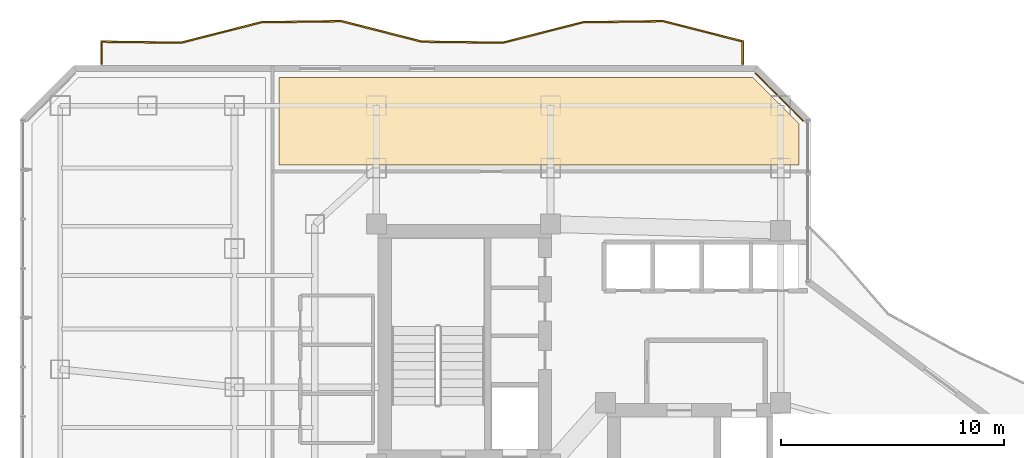
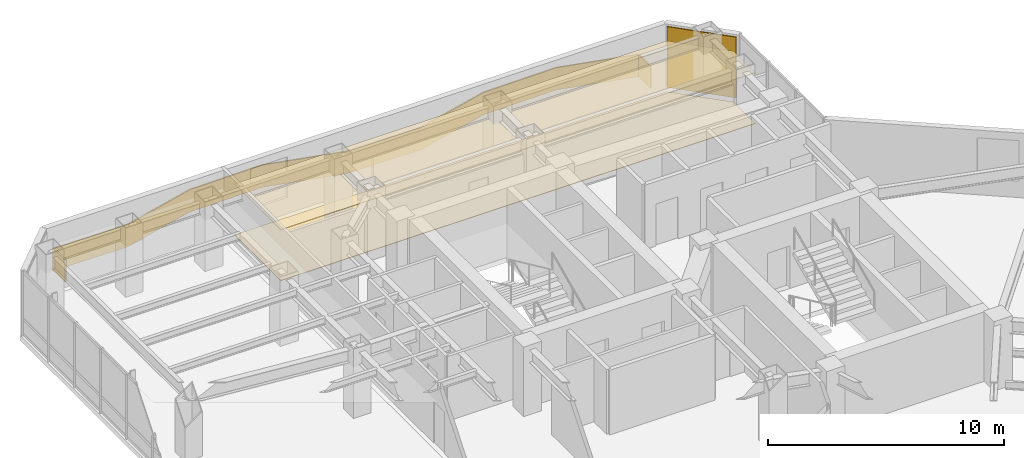
# One storey, part 29 of 29: 3 coverings, 1 railing.
"""IFC4 building model written with IfcOpenShell, lengths in metres."""

from ifc_helpers import new_model, si_unit, direction, frame, origin, origin_2d, place, context, subcontext, project, spatial, polyline, rectangle, outline, extrude, material, layer, layer_set, type_object, element, save


model = new_model("IFC4")

# Units and contexts
model_context = context("Model", 3, precision=1e-05, world=origin(), true_north=direction((0.0, 1.0)))
body_context = subcontext(model_context, "Body", "Model", "MODEL_VIEW")
ifc_project = project(units=[si_unit("LENGTHUNIT", "METRE"), si_unit("AREAUNIT", "SQUARE_METRE"), si_unit("VOLUMEUNIT", "CUBIC_METRE"), si_unit("PLANEANGLEUNIT", "RADIAN"), si_unit("MASSUNIT", "GRAM", prefix="KILO")], contexts=[model_context])

# Site, building, storey
site_placement = place(None, origin())
site = spatial("IfcSite", under=ifc_project, at=site_placement, CompositionType="ELEMENT")
building_placement = place(site_placement, origin())
building = spatial("IfcBuilding", under=site, at=building_placement, Name="Hatsunagi Terrace Concourse", CompositionType="ELEMENT")
storey_placement = place(building_placement, frame((0.0, 0.0, 104.85009765625)))
storey = spatial("IfcBuildingStorey", under=building, at=storey_placement, Name="L27", CompositionType="ELEMENT", Elevation=104.85009765625)

# Railing
ifc_material_1 = material(Name="Laminated Glass and Stainless Steel Guard", Category="steel")
ifc_layer_1 = layer(ifc_material_1, 0.070068359375)
ifc_layer_set_1 = layer_set([ifc_layer_1], Name="BalconyGlassGuardRail_1150")
railing_type = type_object("IfcRailingType", Name="BalconyGlassGuardRail_1150", PredefinedType="BALUSTRADE", material=ifc_layer_set_1)
railing_placement = place(storey_placement, origin())
element("IfcRailing", 1, at=railing_placement, inside=storey, type_object=railing_type, Name="Engawa Balcony Guard GRD-01 L27-BN-1", PredefinedType="BALUSTRADE", context=body_context, shape_type="SweptSolid", body=[
    extrude(outline(polyline([(13.215087890625, 50.449951171875), (13.284912109375, 50.449951171875), (13.284912109375, 51.428466796875), (16.810302734375, 51.3818359375), (20.41162109375, 52.300048828125), (23.98974609375, 52.347900390625), (27.58837890625, 51.43017578125), (31.210205078125, 51.3818359375), (34.8115234375, 52.300048828125), (38.389892578125, 52.347900390625), (41.9150390625, 51.44873046875), (41.9150390625, 50.449951171875), (41.985107421875, 50.449951171875), (41.985107421875, 51.503173828125), (38.398193359375, 52.418212890625), (34.802490234375, 52.369873046875), (31.201904296875, 51.4521484375), (27.59765625, 51.5), (23.998291015625, 52.418212890625), (20.40234375, 52.369873046875), (16.8017578125, 51.4521484375), (13.215087890625, 51.49951171875), (13.215087890625, 50.449951171875)])), origin(), (0.0, 0.0, 1.0), 1.14990234375),
])

# Coverings
ifc_material_2 = material(Name="Granite stone paving", Category="masonry")
ifc_layer_2 = layer(ifc_material_2, 0.02490234375)
ifc_layer_set_2 = layer_set([ifc_layer_2], Name="GraniteStoneFlooring_25")
covering_type_1 = type_object("IfcCoveringType", Name="GraniteStoneFlooring_25", PredefinedType="FLOORING", material=ifc_layer_set_2)
covering_1_placement = place(storey_placement, origin())
element("IfcCovering", 2, at=covering_1_placement, inside=storey, type_object=covering_type_1, Name="Finished Flooring L27-2", PredefinedType="FLOORING", context=body_context, shape_type="SweptSolid", body=[
    extrude(outline(polyline([(42.3798828125, 49.8701171875), (21.199951171875, 49.8701171875), (21.199951171875, 45.949951171875), (44.469970703125, 45.949951171875), (44.469970703125, 47.780029296875), (42.3798828125, 49.8701171875)])), origin(), (0.0, 0.0, 1.0), 0.02490234375),
])
ifc_material_3 = material(Name="Unglazed Warm Terracotta Rainscreen Tile", Category="masonry")
ifc_layer_3 = layer(ifc_material_3, 0.044921875)
ifc_layer_set_3 = layer_set([ifc_layer_3], Name="TerracottaRainscreenCladding_45")
covering_type_2 = type_object("IfcCoveringType", Name="TerracottaRainscreenCladding_45", PredefinedType="CLADDING", material=ifc_layer_set_3)
covering_2_placement = place(storey_placement, frame((43.5859375, 48.986083984375, 0.099853515625), z_axis=(0.0, 0.0, 1.0), x_axis=(0.707106781187, -0.707106781187, 0.0)))
element("IfcCovering", 3, at=covering_2_placement, inside=storey, type_object=covering_type_2, Name="Terracotta Rainscreen Cladding L27-12", PredefinedType="CLADDING", context=body_context, shape_type="SweptSolid", body=[
    extrude(rectangle(XDim=3.0380859375, YDim=0.044921875, at=origin_2d()), origin(), (0.0, 0.0, 1.0), 3.14990234375),
])
ifc_material_4 = material(Name="Hardwood timber", Category="wood")
ifc_layer_4 = layer(ifc_material_4, 0.034912109375)
ifc_layer_set_4 = layer_set([ifc_layer_4], Name="TimberBaffleCeiling_35")
covering_type_3 = type_object("IfcCoveringType", Name="TimberBaffleCeiling_35", PredefinedType="CEILING", material=ifc_layer_set_4)
covering_3_placement = place(storey_placement, frame((0.0, 0.0, 2.6298828125)))
element("IfcCovering", 4, at=covering_3_placement, inside=storey, type_object=covering_type_3, Name="Suspended Ceiling L27-2", PredefinedType="CEILING", context=body_context, shape_type="SweptSolid", body=[
    extrude(outline(polyline([(42.3798828125, 49.8701171875), (21.199951171875, 49.8701171875), (21.199951171875, 45.949951171875), (44.469970703125, 45.949951171875), (44.469970703125, 47.780029296875), (42.3798828125, 49.8701171875)])), origin(), (0.0, 0.0, 1.0), 0.034912109375),
])

save(model, "model.ifc")
